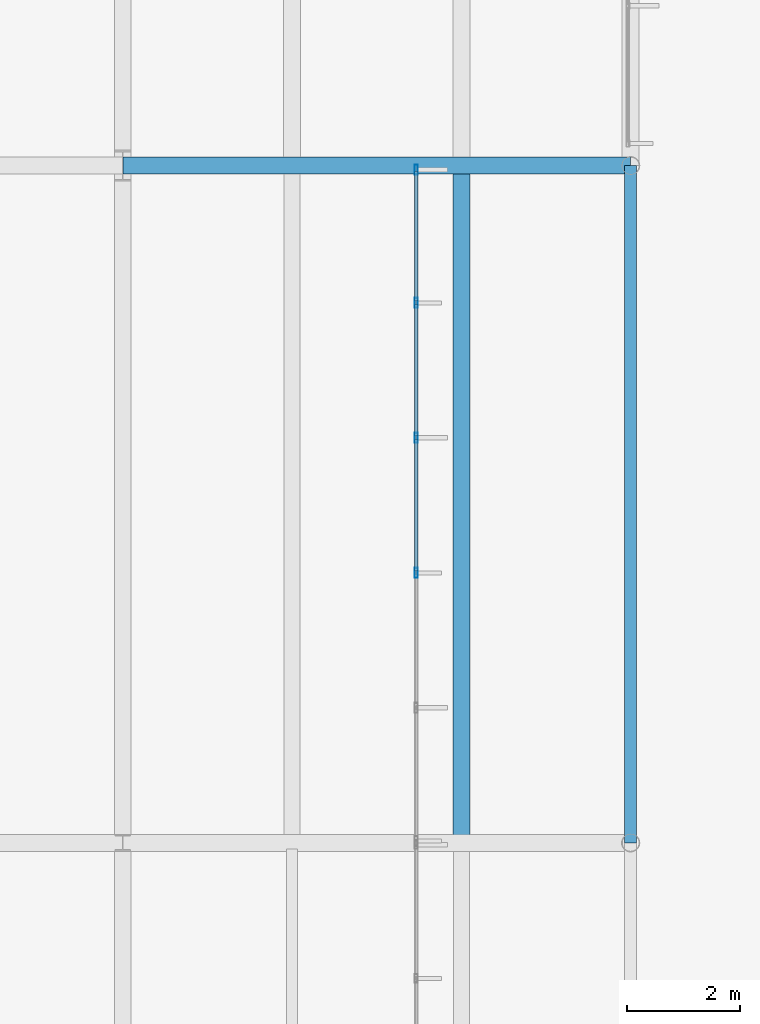
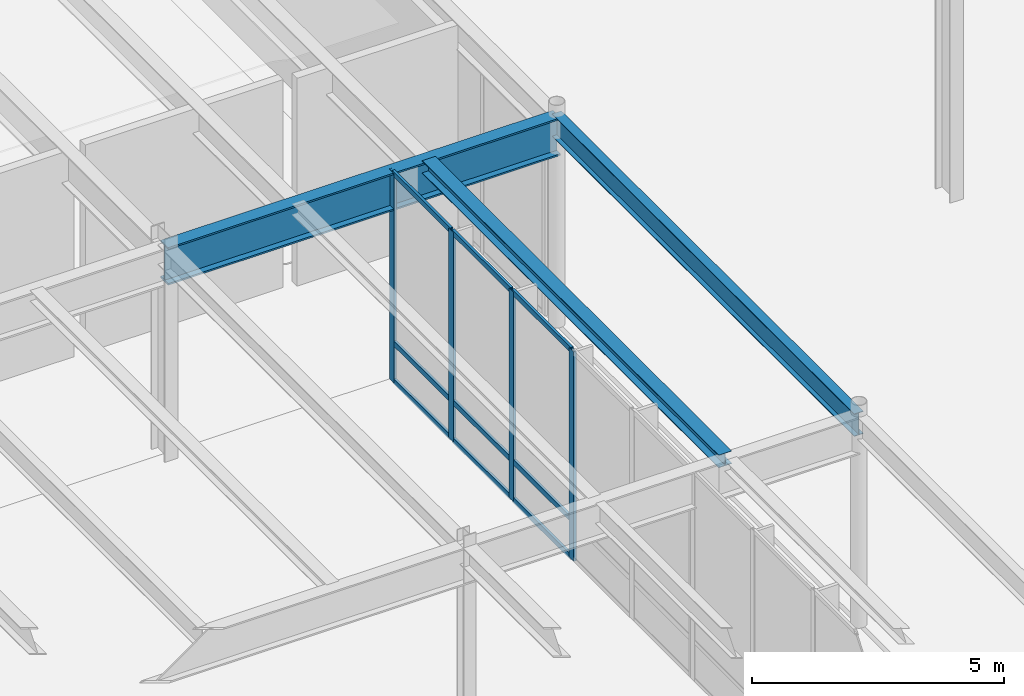
# One storey, part 70 of 143: 13 members, 3 beams, 1 element without a shape of its own.
"""IFC4 building model written with IfcOpenShell, lengths in metres."""

from ifc_helpers import new_model, si_unit, direction, frame, origin, origin_2d, place, context, subcontext, project, spatial, hollow_rectangle, i_section, extrude, material, layer, layer_set, material_profile, profile_set, type_object, element, aggregate, save


model = new_model("IFC4")

# Units and contexts
model_context = context("Model", 3, precision=1e-05, world=origin(), true_north=direction((0.0, 1.0)))
body_context = subcontext(model_context, "Body", "Model", "MODEL_VIEW")
ifc_project = project(units=[si_unit("LENGTHUNIT", "METRE"), si_unit("AREAUNIT", "SQUARE_METRE"), si_unit("VOLUMEUNIT", "CUBIC_METRE"), si_unit("PLANEANGLEUNIT", "RADIAN"), si_unit("MASSUNIT", "GRAM", prefix="KILO")], contexts=[model_context])

# Site, building, storey
site_placement = place(None, origin())
site = spatial("IfcSite", under=ifc_project, at=site_placement, CompositionType="ELEMENT")
building_placement = place(site_placement, origin())
building = spatial("IfcBuilding", under=site, at=building_placement, Name="Montelvaro Courts of Justice", CompositionType="ELEMENT")
storey_placement = place(building_placement, origin())
storey = spatial("IfcBuildingStorey", under=building, at=storey_placement, Name="L00", CompositionType="ELEMENT", Elevation=0.0)

# Beams
ifc_material_1 = material(Name="Steel S355", Category="steel")
ifc_material_profile_1 = material_profile(ifc_material_1, i_section(OverallWidth=0.300048828125, OverallDepth=0.31005859375, WebThickness=0.009033203125, FlangeThickness=0.015380859375, at=origin_2d()), Name="HEA 320")
ifc_profile_set_1 = profile_set([ifc_material_profile_1], Name="Steel S355")
beam_type_1 = type_object("IfcBeamType", Name="Beam_HEA320", PredefinedType="BEAM", material=ifc_profile_set_1)
beam_1_placement = place(storey_placement, frame((78.0, 66.110107421875, 4.965087890625), z_axis=(0.0, 1.0, 0.0), x_axis=(-1.0, 0.0, 0.0)))
element("IfcBeam", 1, at=beam_1_placement, inside=storey, type_object=beam_type_1, Name="Beam B-15 L00", PredefinedType="BEAM", context=body_context, shape_type="SweptSolid", body=[
    extrude(i_section(OverallWidth=0.300048828125, OverallDepth=0.31005859375, WebThickness=0.009033203125, FlangeThickness=0.015380859375, at=origin_2d()), origin(), (0.0, 0.0, 1.0), 11.77978515625),
])
ifc_material_profile_2 = material_profile(ifc_material_1, i_section(OverallWidth=0.302001953125, OverallDepth=0.909912109375, WebThickness=0.02099609375, FlangeThickness=0.0400390625, at=origin_2d()), Name="HEM 900")
ifc_profile_set_2 = profile_set([ifc_material_profile_2], Name="Steel S355")
beam_type_2 = type_object("IfcBeamType", Name="Beam_HEM900", PredefinedType="USERDEFINED", material=ifc_profile_set_2)
beam_2_placement = place(storey_placement, frame((72.0, 78.0, 4.625), z_axis=(1.0, 0.0, 0.0), x_axis=(0.0, 1.0, 0.0)))
element("IfcBeam", 2, at=beam_2_placement, inside=storey, type_object=beam_type_2, Name="Beam B-31 L00", ObjectType="GIRDER", PredefinedType="USERDEFINED", context=body_context, shape_type="SweptSolid", body=[
    extrude(i_section(OverallWidth=0.302001953125, OverallDepth=0.909912109375, WebThickness=0.02099609375, FlangeThickness=0.0400390625, at=origin_2d()), origin(), (0.0, 0.0, 1.0), 9.0),
])
ifc_material_profile_3 = material_profile(ifc_material_1, i_section(OverallWidth=0.2099609375, OverallDepth=0.550048828125, WebThickness=0.010986328125, FlangeThickness=0.01708984375, at=origin_2d()), Name="IPE 550")
ifc_profile_set_3 = profile_set([ifc_material_profile_3], Name="Steel S355")
beam_type_3 = type_object("IfcBeamType", Name="Beam_IPE550", PredefinedType="BEAM", material=ifc_profile_set_3)
beam_3_placement = place(storey_placement, frame((81.0, 66.0, 4.844970703125), z_axis=(0.0, 1.0, 0.0), x_axis=(-1.0, 0.0, 0.0)))
element("IfcBeam", 3, at=beam_3_placement, inside=storey, type_object=beam_type_3, Name="Beam B-11 L00", PredefinedType="BEAM", context=body_context, shape_type="SweptSolid", body=[
    extrude(i_section(OverallWidth=0.2099609375, OverallDepth=0.550048828125, WebThickness=0.010986328125, FlangeThickness=0.01708984375, at=origin_2d()), origin(), (0.0, 0.0, 1.0), 12.0),
])

# Curtain wall, members
ifc_material_2 = material(Name="Anodised aluminium EN AW-6063", Category="aluminium")
ifc_layer = layer(ifc_material_2, 0.159912109375)
ifc_layer_set = layer_set([ifc_layer], Name="Anodised aluminium EN AW-6063")
curtain_wall_type = type_object("IfcCurtainWallType", Name="CurtainWall_07_1196x508", PredefinedType="USERDEFINED", material=ifc_layer_set)
curtain_wall_placement = place(storey_placement, origin())
curtain_wall = element("IfcCurtainWall", 4, at=curtain_wall_placement, inside=storey, type_object=curtain_wall_type, Name="Curtain Wall CW-07 (L00)", ObjectType="CURTAIN WALL", PredefinedType="USERDEFINED")
ifc_material_profile_4 = material_profile(ifc_material_2, hollow_rectangle(XDim=0.06005859375, YDim=0.179931640625, WallThickness=0.00439453125, at=origin_2d()), Name="ALU-M 60x180")
ifc_profile_set_4 = profile_set([ifc_material_profile_4], Name="Anodised aluminium EN AW-6063")
member_type_1 = type_object("IfcMemberType", Name="CurtainWall_Mullion_60x180", PredefinedType="MULLION", material=ifc_profile_set_4)
member_1_placement = place(storey_placement, frame((77.199951171875, 70.783935546875, 0.0), z_axis=(0.0, 0.0, 1.0), x_axis=(-1.0, 0.0, 0.0)))
member_1 = element("IfcMember", 5, at=member_1_placement, type_object=member_type_1, Name="CW-07 mullion 3", PredefinedType="MULLION", context=body_context, shape_type="SweptSolid", body=[
    extrude(hollow_rectangle(XDim=0.06005859375, YDim=0.179931640625, WallThickness=0.00439453125, at=origin_2d()), origin(), (0.0, 0.0, 1.0), 5.080078125),
])
member_2_placement = place(storey_placement, frame((77.199951171875, 73.176025390625, 0.0), z_axis=(0.0, 0.0, 1.0), x_axis=(-1.0, 0.0, 0.0)))
member_2 = element("IfcMember", 6, at=member_2_placement, type_object=member_type_1, Name="CW-07 mullion 4", PredefinedType="MULLION", context=body_context, shape_type="SweptSolid", body=[
    extrude(hollow_rectangle(XDim=0.06005859375, YDim=0.179931640625, WallThickness=0.00439453125, at=origin_2d()), origin(), (0.0, 0.0, 1.0), 5.080078125),
])
member_3_placement = place(storey_placement, frame((77.199951171875, 75.568115234375, 0.0), z_axis=(0.0, 0.0, 1.0), x_axis=(-1.0, 0.0, 0.0)))
member_3 = element("IfcMember", 7, at=member_3_placement, type_object=member_type_1, Name="CW-07 mullion 5", PredefinedType="MULLION", context=body_context, shape_type="SweptSolid", body=[
    extrude(hollow_rectangle(XDim=0.06005859375, YDim=0.179931640625, WallThickness=0.00439453125, at=origin_2d()), origin(), (0.0, 0.0, 1.0), 5.080078125),
])
member_4_placement = place(storey_placement, frame((77.199951171875, 77.929931640625, 0.0), z_axis=(0.0, 0.0, 1.0), x_axis=(-1.0, 0.0, 0.0)))
member_4 = element("IfcMember", 8, at=member_4_placement, type_object=member_type_1, Name="CW-07 mullion 6", PredefinedType="MULLION", context=body_context, shape_type="SweptSolid", body=[
    extrude(hollow_rectangle(XDim=0.06005859375, YDim=0.179931640625, WallThickness=0.00439453125, at=origin_2d()), origin(), (0.0, 0.0, 1.0), 5.080078125),
])
ifc_material_profile_5 = material_profile(ifc_material_2, hollow_rectangle(XDim=0.06005859375, YDim=0.1298828125, WallThickness=0.00390625, at=origin_2d()), Name="ALU-T 60x130")
ifc_profile_set_5 = profile_set([ifc_material_profile_5], Name="Anodised aluminium EN AW-6063")
member_type_2 = type_object("IfcMemberType", Name="CurtainWall_Transom_60x130", PredefinedType="USERDEFINED", material=ifc_profile_set_5)
member_5_placement = place(storey_placement, frame((77.199951171875, 70.81396484375, 0.030029296875), z_axis=(0.0, 1.0, 0.0), x_axis=(-1.0, 0.0, 0.0)))
member_5 = element("IfcMember", 9, at=member_5_placement, type_object=member_type_2, Name="CW-07 transom 3.1", ObjectType="TRANSOM", PredefinedType="USERDEFINED", context=body_context, shape_type="SweptSolid", body=[
    extrude(hollow_rectangle(XDim=0.06005859375, YDim=0.1298828125, WallThickness=0.00390625, at=origin_2d()), origin(), (0.0, 0.0, 1.0), 2.33203125),
])
member_6_placement = place(storey_placement, frame((77.199951171875, 70.81396484375, 0.949951171875), z_axis=(0.0, 1.0, 0.0), x_axis=(-1.0, 0.0, 0.0)))
member_6 = element("IfcMember", 10, at=member_6_placement, type_object=member_type_2, Name="CW-07 transom 3.2", ObjectType="TRANSOM", PredefinedType="USERDEFINED", context=body_context, shape_type="SweptSolid", body=[
    extrude(hollow_rectangle(XDim=0.06005859375, YDim=0.1298828125, WallThickness=0.00390625, at=origin_2d()), origin(), (0.0, 0.0, 1.0), 2.33203125),
])
member_7_placement = place(storey_placement, frame((77.199951171875, 70.81396484375, 5.050048828125), z_axis=(0.0, 1.0, 0.0), x_axis=(-1.0, 0.0, 0.0)))
member_7 = element("IfcMember", 11, at=member_7_placement, type_object=member_type_2, Name="CW-07 transom 3.3", ObjectType="TRANSOM", PredefinedType="USERDEFINED", context=body_context, shape_type="SweptSolid", body=[
    extrude(hollow_rectangle(XDim=0.06005859375, YDim=0.1298828125, WallThickness=0.00390625, at=origin_2d()), origin(), (0.0, 0.0, 1.0), 2.33203125),
])
member_8_placement = place(storey_placement, frame((77.199951171875, 73.2060546875, 0.030029296875), z_axis=(0.0, 1.0, 0.0), x_axis=(-1.0, 0.0, 0.0)))
member_8 = element("IfcMember", 12, at=member_8_placement, type_object=member_type_2, Name="CW-07 transom 4.1", ObjectType="TRANSOM", PredefinedType="USERDEFINED", context=body_context, shape_type="SweptSolid", body=[
    extrude(hollow_rectangle(XDim=0.06005859375, YDim=0.1298828125, WallThickness=0.00390625, at=origin_2d()), origin(), (0.0, 0.0, 1.0), 2.33203125),
])
member_9_placement = place(storey_placement, frame((77.199951171875, 73.2060546875, 0.949951171875), z_axis=(0.0, 1.0, 0.0), x_axis=(-1.0, 0.0, 0.0)))
member_9 = element("IfcMember", 13, at=member_9_placement, type_object=member_type_2, Name="CW-07 transom 4.2", ObjectType="TRANSOM", PredefinedType="USERDEFINED", context=body_context, shape_type="SweptSolid", body=[
    extrude(hollow_rectangle(XDim=0.06005859375, YDim=0.1298828125, WallThickness=0.00390625, at=origin_2d()), origin(), (0.0, 0.0, 1.0), 2.33203125),
])
member_10_placement = place(storey_placement, frame((77.199951171875, 73.2060546875, 5.050048828125), z_axis=(0.0, 1.0, 0.0), x_axis=(-1.0, 0.0, 0.0)))
member_10 = element("IfcMember", 14, at=member_10_placement, type_object=member_type_2, Name="CW-07 transom 4.3", ObjectType="TRANSOM", PredefinedType="USERDEFINED", context=body_context, shape_type="SweptSolid", body=[
    extrude(hollow_rectangle(XDim=0.06005859375, YDim=0.1298828125, WallThickness=0.00390625, at=origin_2d()), origin(), (0.0, 0.0, 1.0), 2.33203125),
])
member_11_placement = place(storey_placement, frame((77.199951171875, 75.597900390625, 0.030029296875), z_axis=(0.0, 1.0, 0.0), x_axis=(-1.0, 0.0, 0.0)))
member_11 = element("IfcMember", 15, at=member_11_placement, type_object=member_type_2, Name="CW-07 transom 5.1", ObjectType="TRANSOM", PredefinedType="USERDEFINED", context=body_context, shape_type="SweptSolid", body=[
    extrude(hollow_rectangle(XDim=0.06005859375, YDim=0.1298828125, WallThickness=0.00390625, at=origin_2d()), origin(), (0.0, 0.0, 1.0), 2.302001953125),
])
member_12_placement = place(storey_placement, frame((77.199951171875, 75.597900390625, 0.949951171875), z_axis=(0.0, 1.0, 0.0), x_axis=(-1.0, 0.0, 0.0)))
member_12 = element("IfcMember", 16, at=member_12_placement, type_object=member_type_2, Name="CW-07 transom 5.2", ObjectType="TRANSOM", PredefinedType="USERDEFINED", context=body_context, shape_type="SweptSolid", body=[
    extrude(hollow_rectangle(XDim=0.06005859375, YDim=0.1298828125, WallThickness=0.00390625, at=origin_2d()), origin(), (0.0, 0.0, 1.0), 2.302001953125),
])
member_13_placement = place(storey_placement, frame((77.199951171875, 75.597900390625, 5.050048828125), z_axis=(0.0, 1.0, 0.0), x_axis=(-1.0, 0.0, 0.0)))
member_13 = element("IfcMember", 17, at=member_13_placement, type_object=member_type_2, Name="CW-07 transom 5.3", ObjectType="TRANSOM", PredefinedType="USERDEFINED", context=body_context, shape_type="SweptSolid", body=[
    extrude(hollow_rectangle(XDim=0.06005859375, YDim=0.1298828125, WallThickness=0.00390625, at=origin_2d()), origin(), (0.0, 0.0, 1.0), 2.302001953125),
])
aggregate(curtain_wall, [member_1, member_2, member_3, member_4, member_5, member_6, member_7, member_8, member_9, member_10, member_11, member_12, member_13])

save(model, "model.ifc")
